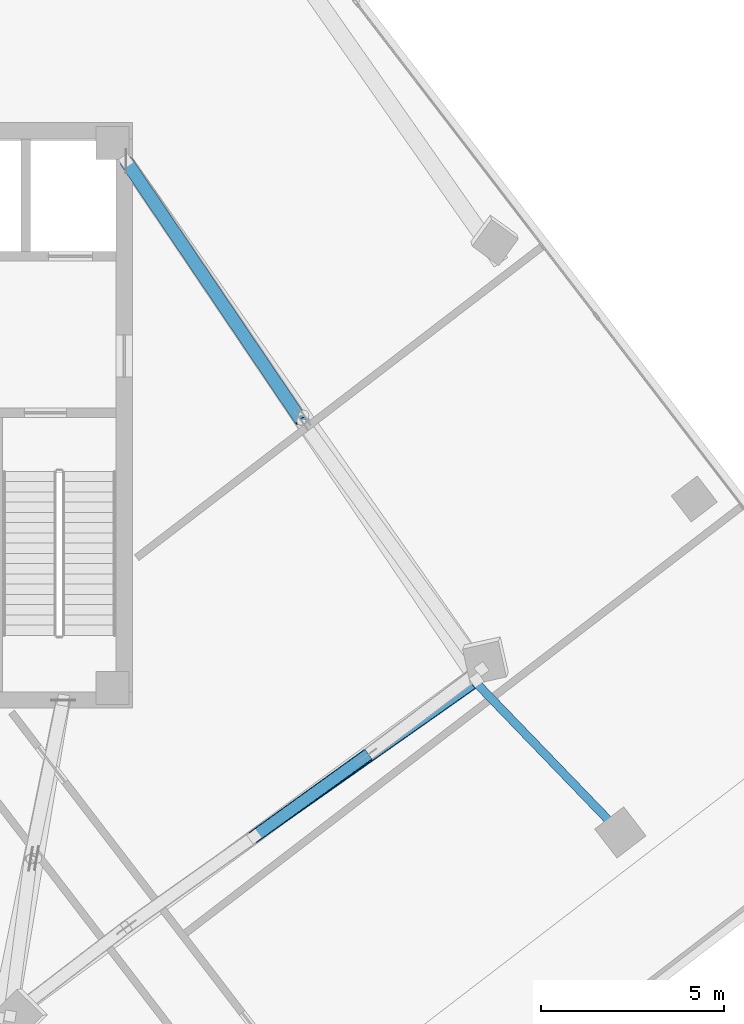
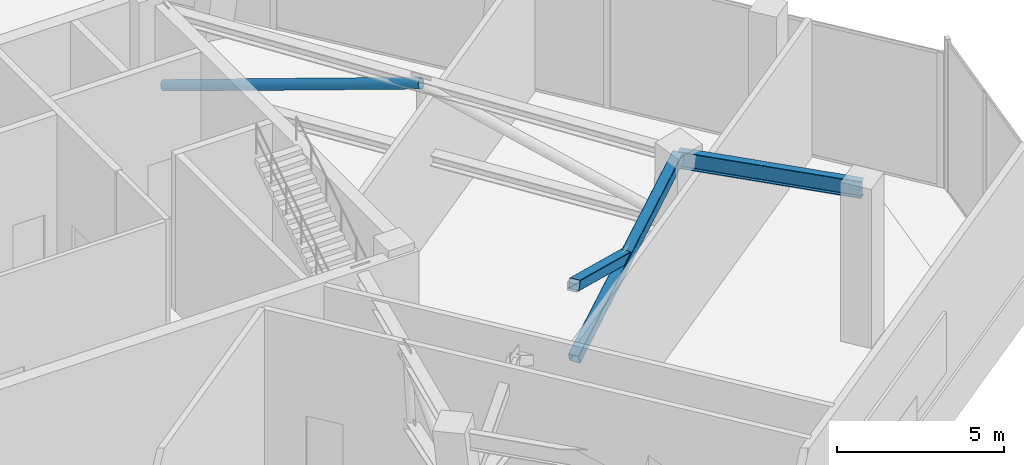
# One storey, part 6 of 19: 3 members, 1 beam.
"""IFC4 building model written with IfcOpenShell, lengths in metres."""

from ifc_helpers import new_model, si_unit, direction, frame, origin, origin_2d, place, context, subcontext, project, spatial, hollow_rectangle, hollow_circle, i_section, extrude, source, transform, mapped, material, material_profile, profile_set, type_object, element, save


model = new_model("IFC4")

# Units and contexts
model_context = context("Model", 3, precision=1e-05, world=origin(), true_north=direction((0.0, 1.0)))
body_context = subcontext(model_context, "Body", "Model", "MODEL_VIEW")
ifc_project = project(units=[si_unit("LENGTHUNIT", "METRE"), si_unit("AREAUNIT", "SQUARE_METRE"), si_unit("VOLUMEUNIT", "CUBIC_METRE"), si_unit("PLANEANGLEUNIT", "RADIAN"), si_unit("MASSUNIT", "GRAM", prefix="KILO")], contexts=[model_context])

# Site, building, storey
site_placement = place(None, origin())
site = spatial("IfcSite", under=ifc_project, at=site_placement, CompositionType="ELEMENT")
building_placement = place(site_placement, origin())
building = spatial("IfcBuilding", under=site, at=building_placement, Name="Torre Montelarca", CompositionType="ELEMENT")
storey_placement = place(building_placement, frame((0.0, 0.0, 287.800048828125)))
storey = spatial("IfcBuildingStorey", under=building, at=storey_placement, Name="L65", CompositionType="ELEMENT", Elevation=287.800048828125)

# Beam
ifc_material_1 = material(Name="Steel ASTM A992 Grade 50", Category="steel")
ifc_material_profile_1 = material_profile(ifc_material_1, i_section(OverallWidth=0.22998046875, OverallDepth=0.616943359375, WebThickness=0.01318359375, FlangeThickness=0.022216796875, FilletRadius=0.014892578125, at=origin_2d()), Name="W610X140", Category="steel")
ifc_profile_set_1 = profile_set([ifc_material_profile_1], Name="Steel ASTM A992 Grade 50")
beam_type = type_object("IfcBeamType", Name="BM-G-W610-EXT", PredefinedType="BEAM", material=ifc_profile_set_1)
shared_shape_1 = source(origin(), body_context, "Body", "SweptSolid", [
    extrude(i_section(OverallWidth=0.22998046875, OverallDepth=0.616943359375, WebThickness=0.01318359375, FlangeThickness=0.022216796875, FilletRadius=0.014892578125, at=origin_2d()), origin(), (0.0, 0.0, 1.0), 5.700927734375),
])
beam_placement = place(storey_placement, frame((36.3701171875, 24.7109375, 5.391845703125), z_axis=(0.693968330332, -0.720005525324, 0.0), x_axis=(0.720005525324, 0.693968330332, 0.0)))
element("IfcBeam", 1, at=beam_placement, inside=storey, type_object=beam_type, Name="L65 Setback Terrace Girder 36-42 Y=40m", PredefinedType="BEAM", context=body_context, shape_type="MappedRepresentation", body=[
    mapped(shared_shape_1, transform((0.0, 0.0, 0.0), scale=1.0)),
])

# Members
ifc_material_2 = material(Name="Steel ASTM A500 Grade C", Category="steel")
ifc_material_profile_2 = material_profile(ifc_material_2, hollow_circle(Radius=0.177734375, WallThickness=0.015869140625, at=origin_2d()), Name="HSS355.6X15.9", Category="steel")
ifc_profile_set_2 = profile_set([ifc_material_profile_2], Name="Steel ASTM A500 Grade C")
member_type_1 = type_object("IfcMemberType", Name="MB-BR-CHS356", PredefinedType="BRACE", material=ifc_profile_set_2)
shared_shape_2 = source(origin(), body_context, "Body", "SweptSolid", [
    extrude(hollow_circle(Radius=0.177734375, WallThickness=0.015869140625, at=origin_2d()), origin(), (0.0, 0.0, 1.0), 8.97119140625),
])
member_1_placement = place(storey_placement, frame((26.820068359375, 38.949951171875, 2.75), z_axis=(0.533802239235, -0.79023958312, 0.300959416961), x_axis=(0.828658730611, 0.559754149767, 0.0)))
element("IfcMember", 2, at=member_1_placement, inside=storey, type_object=member_type_1, Name="L65 Outrigger Truss Diagonal 2A", PredefinedType="BRACE", context=body_context, shape_type="MappedRepresentation", body=[
    mapped(shared_shape_2, transform((0.0, 0.0, 0.0), scale=1.0)),
])
ifc_material_profile_3 = material_profile(ifc_material_2, hollow_rectangle(XDim=0.355712890625, YDim=0.355712890625, WallThickness=0.015869140625, InnerFilletRadius=0.015869140625, OuterFilletRadius=0.03173828125, at=origin_2d()), Name="HSS356X356X15.9", Category="steel")
ifc_profile_set_3 = profile_set([ifc_material_profile_3], Name="Steel ASTM A500 Grade C")
member_type_2 = type_object("IfcMemberType", Name="MB-BR-HSS356-EXT", PredefinedType="BRACE", material=ifc_profile_set_3)
shared_shape_3 = source(origin(), body_context, "Body", "SweptSolid", [
    extrude(hollow_rectangle(XDim=0.355712890625, YDim=0.355712890625, WallThickness=0.015869140625, InnerFilletRadius=0.015869140625, OuterFilletRadius=0.03173828125, at=origin_2d()), origin(), (0.0, 0.0, 1.0), 7.900634765625),
])
member_2_placement = place(storey_placement, frame((30.326904296875, 20.496337890625, 2.75), z_axis=(0.768424981647, 0.541052519551, 0.341738523828), x_axis=(-0.575713295858, 0.817651637907, 0.0)))
element("IfcMember", 3, at=member_2_placement, inside=storey, type_object=member_type_2, Name="L65 Perimeter Belt-Truss Continuous X-Brace 3A", PredefinedType="BRACE", context=body_context, shape_type="MappedRepresentation", body=[
    mapped(shared_shape_3, transform((0.0, 0.0, 0.0), scale=1.0)),
])
shared_shape_4 = source(origin(), body_context, "Body", "SweptSolid", [
    extrude(hollow_rectangle(XDim=0.355712890625, YDim=0.355712890625, WallThickness=0.015869140625, InnerFilletRadius=0.015869140625, OuterFilletRadius=0.03173828125, at=origin_2d()), origin(), (0.0, 0.0, 1.0), 4.016845703125),
])
member_3_placement = place(storey_placement, frame((33.396728515625, 22.70751953125, 4.099853515625), z_axis=(-0.764217176422, -0.550462459587, 0.336099967044), x_axis=(0.584462813808, -0.811420494735, 0.0)))
element("IfcMember", 4, at=member_3_placement, inside=storey, type_object=member_type_2, Name="L65 Perimeter Belt-Truss Split X-Brace Upper 3B2", PredefinedType="BRACE", context=body_context, shape_type="MappedRepresentation", body=[
    mapped(shared_shape_4, transform((0.0, 0.0, 0.0), scale=1.0)),
])

save(model, "model.ifc")
